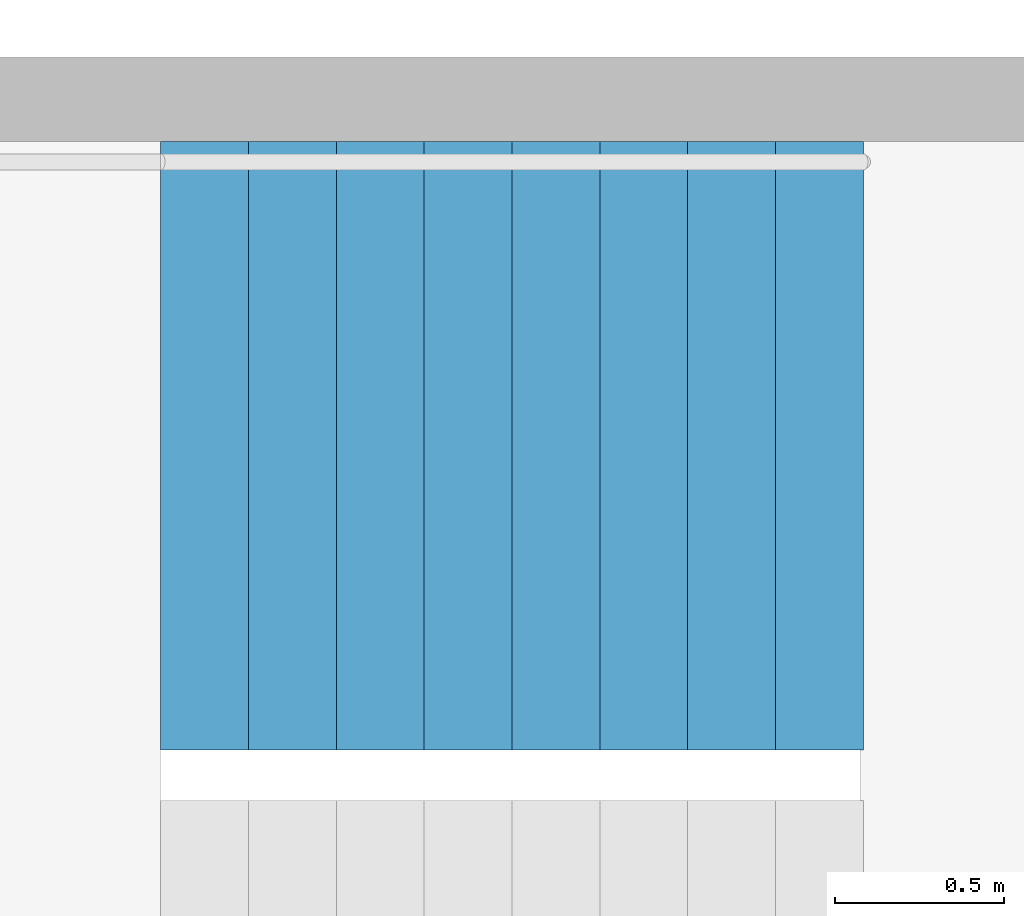
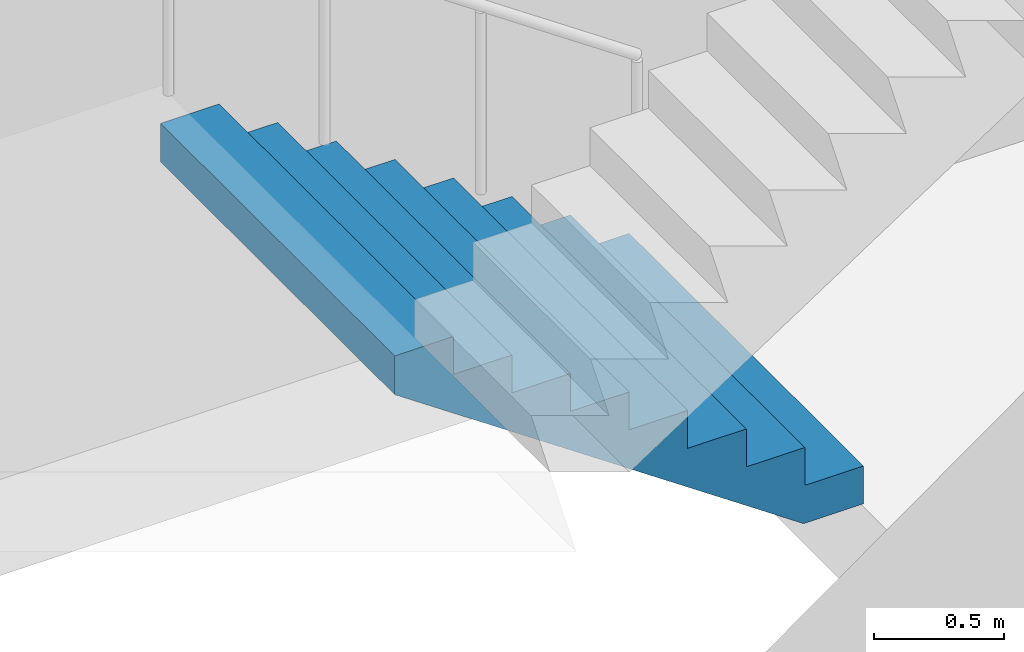
# One storey, part 18 of 25: 1 stair flight, 1 element without a shape of its own.
"""IFC4 building model written with IfcOpenShell, lengths in metres."""

from ifc_helpers import new_model, si_unit, direction, frame, origin, place, context, subcontext, project, spatial, triangles, material, type_object, element, aggregate, save


model = new_model("IFC4")

# Units and contexts
model_context = context("Model", 3, precision=1e-05, world=origin(), true_north=direction((0.0, 1.0)))
body_context = subcontext(model_context, "Body", "Model", "MODEL_VIEW")
ifc_project = project(units=[si_unit("LENGTHUNIT", "METRE"), si_unit("AREAUNIT", "SQUARE_METRE"), si_unit("VOLUMEUNIT", "CUBIC_METRE"), si_unit("PLANEANGLEUNIT", "RADIAN"), si_unit("MASSUNIT", "GRAM", prefix="KILO")], contexts=[model_context])

# Site, building, storey
site_placement = place(None, origin())
site = spatial("IfcSite", under=ifc_project, at=site_placement, CompositionType="ELEMENT")
building_placement = place(site_placement, origin())
building = spatial("IfcBuilding", under=site, at=building_placement, Name="Hakoniwa Tower and Hamabe Station Hall", CompositionType="ELEMENT")
storey_placement = place(building_placement, frame((0.0, 0.0, 186.60009765625)))
storey = spatial("IfcBuildingStorey", under=building, at=storey_placement, Name="L52", CompositionType="ELEMENT", Elevation=186.60009765625)

# Stair, stair flight
ifc_material_1 = material(Name="Concrete C40", Category="concrete")
stair_type = type_object("IfcStairType", Name="ESCAPE STAIR 1800", PredefinedType="HALF_TURN_STAIR", material=ifc_material_1)
stair_placement = place(storey_placement, origin())
stair = element("IfcStair", 1, at=stair_placement, inside=storey, type_object=stair_type, Name="Escape stair ST-2 L52", PredefinedType="HALF_TURN_STAIR")
ifc_material_2 = material(Name="Concrete C40", Category="concrete")
stair_flight_type = type_object("IfcStairFlightType", Name="STAIR FLIGHT 1800", PredefinedType="STRAIGHT", material=ifc_material_2)
stair_flight_placement = place(storey_placement, frame((-23.39990234375, -4.64990234375, 0.0), z_axis=(0.0, 0.0, 1.0), x_axis=(-1.0, 0.0, 0.0)))
stair_flight = element("IfcStairFlight", 2, at=stair_flight_placement, type_object=stair_flight_type, Name="ST-2 flight 1", NumberOfRisers=9, NumberOfTreads=8, PredefinedType="STRAIGHT", RiserHeight=0.177777778, TreadLength=0.26, context=body_context, shape_type="Tessellation", body=[
    triangles([(0.0, 0.89990234375, 0.0), (0.260009765625, 0.89990234375, 0.0), (0.265625, 0.89990234375, 0.0), (0.52001953125, 0.89990234375, 0.174072265625), (0.780029296875, 0.89990234375, 0.351806640625), (1.0400390625, 0.89990234375, 0.529541015625), (1.300048828125, 0.89990234375, 0.707275390625), (1.56005859375, 0.89990234375, 0.885009765625), (1.820068359375, 0.89990234375, 1.062744140625), (2.080078125, 0.89990234375, 1.24072265625), (2.080078125, 0.89990234375, 1.422119140625), (1.820068359375, 0.89990234375, 1.422119140625), (1.820068359375, 0.89990234375, 1.244384765625), (1.56005859375, 0.89990234375, 1.244384765625), (1.56005859375, 0.89990234375, 1.066650390625), (1.300048828125, 0.89990234375, 1.066650390625), (1.300048828125, 0.89990234375, 0.888916015625), (1.0400390625, 0.89990234375, 0.888916015625), (1.0400390625, 0.89990234375, 0.711181640625), (0.780029296875, 0.89990234375, 0.711181640625), (0.780029296875, 0.89990234375, 0.533447265625), (0.52001953125, 0.89990234375, 0.533447265625), (0.52001953125, 0.89990234375, 0.35546875), (0.265625, 0.89990234375, 0.35546875), (0.260009765625, 0.89990234375, 0.35546875), (0.260009765625, 0.89990234375, 0.177734375), (0.0, 0.89990234375, 0.177734375), (0.0, 0.06005859375, 0.0), (0.260009765625, 0.06005859375, 0.0), (0.265625, 0.06005859375, 0.0), (0.52001953125, 0.06005859375, 0.174072265625), (0.780029296875, 0.06005859375, 0.351806640625), (1.0400390625, 0.06005859375, 0.529541015625), (1.300048828125, 0.06005859375, 0.707275390625), (1.56005859375, 0.06005859375, 0.885009765625), (1.820068359375, 0.06005859375, 1.062744140625), (2.080078125, 0.06005859375, 1.24072265625), (2.080078125, 0.06005859375, 1.422119140625), (1.820068359375, 0.06005859375, 1.422119140625), (1.820068359375, 0.06005859375, 1.244384765625), (1.56005859375, 0.06005859375, 1.244384765625), (1.56005859375, 0.06005859375, 1.066650390625), (1.300048828125, 0.06005859375, 1.066650390625), (1.300048828125, 0.06005859375, 0.888916015625), (1.0400390625, 0.06005859375, 0.888916015625), (1.0400390625, 0.06005859375, 0.711181640625), (0.780029296875, 0.06005859375, 0.711181640625), (0.780029296875, 0.06005859375, 0.533447265625), (0.52001953125, 0.06005859375, 0.533447265625), (0.52001953125, 0.06005859375, 0.35546875), (0.265625, 0.06005859375, 0.35546875), (0.260009765625, 0.06005859375, 0.35546875), (0.260009765625, 0.06005859375, 0.177734375), (0.0, 0.06005859375, 0.177734375), (0.0, 0.04296875, 0.0), (0.260009765625, 0.04296875, 0.0), (0.265625, 0.04296875, 0.0), (0.52001953125, 0.04296875, 0.174072265625), (0.780029296875, 0.04296875, 0.351806640625), (1.0400390625, 0.04296875, 0.529541015625), (1.300048828125, 0.04296875, 0.707275390625), (1.56005859375, 0.04296875, 0.885009765625), (1.820068359375, 0.04296875, 1.062744140625), (2.080078125, 0.04296875, 1.24072265625), (2.080078125, 0.04296875, 1.422119140625), (1.820068359375, 0.04296875, 1.422119140625), (1.820068359375, 0.04296875, 1.244384765625), (1.56005859375, 0.04296875, 1.244384765625), (1.56005859375, 0.04296875, 1.066650390625), (1.300048828125, 0.04296875, 1.066650390625), (1.300048828125, 0.04296875, 0.888916015625), (1.0400390625, 0.04296875, 0.888916015625), (1.0400390625, 0.04296875, 0.711181640625), (0.780029296875, 0.04296875, 0.711181640625), (0.780029296875, 0.04296875, 0.533447265625), (0.52001953125, 0.04296875, 0.533447265625), (0.52001953125, 0.04296875, 0.35546875), (0.265625, 0.04296875, 0.35546875), (0.260009765625, 0.04296875, 0.35546875), (0.260009765625, 0.04296875, 0.177734375), (0.0, 0.04296875, 0.177734375), (0.0, 0.025634765625, 0.0), (0.260009765625, 0.025634765625, 0.0), (0.265625, 0.025634765625, 0.0), (0.52001953125, 0.025634765625, 0.174072265625), (0.780029296875, 0.025634765625, 0.351806640625), (1.0400390625, 0.025634765625, 0.529541015625), (1.300048828125, 0.025634765625, 0.707275390625), (1.56005859375, 0.025634765625, 0.885009765625), (1.820068359375, 0.025634765625, 1.062744140625), (2.080078125, 0.025634765625, 1.24072265625), (2.080078125, 0.025634765625, 1.422119140625), (1.820068359375, 0.025634765625, 1.422119140625), (1.820068359375, 0.025634765625, 1.244384765625), (1.56005859375, 0.025634765625, 1.244384765625), (1.56005859375, 0.025634765625, 1.066650390625), (1.300048828125, 0.025634765625, 1.066650390625), (1.300048828125, 0.025634765625, 0.888916015625), (1.0400390625, 0.025634765625, 0.888916015625), (1.0400390625, 0.025634765625, 0.711181640625), (0.780029296875, 0.025634765625, 0.711181640625), (0.780029296875, 0.025634765625, 0.533447265625), (0.52001953125, 0.025634765625, 0.533447265625), (0.52001953125, 0.025634765625, 0.35546875), (0.265625, 0.025634765625, 0.35546875), (0.260009765625, 0.025634765625, 0.35546875), (0.260009765625, 0.025634765625, 0.177734375), (0.0, 0.025634765625, 0.177734375), (0.0, 0.008544921875, 0.0), (0.260009765625, 0.008544921875, 0.0), (0.265625, 0.008544921875, 0.0), (0.52001953125, 0.008544921875, 0.174072265625), (0.780029296875, 0.008544921875, 0.351806640625), (1.0400390625, 0.008544921875, 0.529541015625), (1.300048828125, 0.008544921875, 0.707275390625), (1.56005859375, 0.008544921875, 0.885009765625), (1.820068359375, 0.008544921875, 1.062744140625), (2.080078125, 0.008544921875, 1.24072265625), (2.080078125, 0.008544921875, 1.422119140625), (1.820068359375, 0.008544921875, 1.422119140625), (1.820068359375, 0.008544921875, 1.244384765625), (1.56005859375, 0.008544921875, 1.244384765625), (1.56005859375, 0.008544921875, 1.066650390625), (1.300048828125, 0.008544921875, 1.066650390625), (1.300048828125, 0.008544921875, 0.888916015625), (1.0400390625, 0.008544921875, 0.888916015625), (1.0400390625, 0.008544921875, 0.711181640625), (0.780029296875, 0.008544921875, 0.711181640625), (0.780029296875, 0.008544921875, 0.533447265625), (0.52001953125, 0.008544921875, 0.533447265625), (0.52001953125, 0.008544921875, 0.35546875), (0.265625, 0.008544921875, 0.35546875), (0.260009765625, 0.008544921875, 0.35546875), (0.260009765625, 0.008544921875, 0.177734375), (0.0, 0.008544921875, 0.177734375), (0.0, -0.008544921875, 0.0), (0.260009765625, -0.008544921875, 0.0), (0.265625, -0.008544921875, 0.0), (0.52001953125, -0.008544921875, 0.174072265625), (0.780029296875, -0.008544921875, 0.351806640625), (1.0400390625, -0.008544921875, 0.529541015625), (1.300048828125, -0.008544921875, 0.707275390625), (1.56005859375, -0.008544921875, 0.885009765625), (1.820068359375, -0.008544921875, 1.062744140625), (2.080078125, -0.008544921875, 1.24072265625), (2.080078125, -0.008544921875, 1.422119140625), (1.820068359375, -0.008544921875, 1.422119140625), (1.820068359375, -0.008544921875, 1.244384765625), (1.56005859375, -0.008544921875, 1.244384765625), (1.56005859375, -0.008544921875, 1.066650390625), (1.300048828125, -0.008544921875, 1.066650390625), (1.300048828125, -0.008544921875, 0.888916015625), (1.0400390625, -0.008544921875, 0.888916015625), (1.0400390625, -0.008544921875, 0.711181640625), (0.780029296875, -0.008544921875, 0.711181640625), (0.780029296875, -0.008544921875, 0.533447265625), (0.52001953125, -0.008544921875, 0.533447265625), (0.52001953125, -0.008544921875, 0.35546875), (0.265625, -0.008544921875, 0.35546875), (0.260009765625, -0.008544921875, 0.35546875), (0.260009765625, -0.008544921875, 0.177734375), (0.0, -0.008544921875, 0.177734375), (0.0, -0.025634765625, 0.0), (0.260009765625, -0.025634765625, 0.0), (0.265625, -0.025634765625, 0.0), (0.52001953125, -0.025634765625, 0.174072265625), (0.780029296875, -0.025634765625, 0.351806640625), (1.0400390625, -0.025634765625, 0.529541015625), (1.300048828125, -0.025634765625, 0.707275390625), (1.56005859375, -0.025634765625, 0.885009765625), (1.820068359375, -0.025634765625, 1.062744140625), (2.080078125, -0.025634765625, 1.24072265625), (2.080078125, -0.025634765625, 1.422119140625), (1.820068359375, -0.025634765625, 1.422119140625), (1.820068359375, -0.025634765625, 1.244384765625), (1.56005859375, -0.025634765625, 1.244384765625), (1.56005859375, -0.025634765625, 1.066650390625), (1.300048828125, -0.025634765625, 1.066650390625), (1.300048828125, -0.025634765625, 0.888916015625), (1.0400390625, -0.025634765625, 0.888916015625), (1.0400390625, -0.025634765625, 0.711181640625), (0.780029296875, -0.025634765625, 0.711181640625), (0.780029296875, -0.025634765625, 0.533447265625), (0.52001953125, -0.025634765625, 0.533447265625), (0.52001953125, -0.025634765625, 0.35546875), (0.265625, -0.025634765625, 0.35546875), (0.260009765625, -0.025634765625, 0.35546875), (0.260009765625, -0.025634765625, 0.177734375), (0.0, -0.025634765625, 0.177734375), (0.0, -0.04296875, 0.0), (0.260009765625, -0.04296875, 0.0), (0.265625, -0.04296875, 0.0), (0.52001953125, -0.04296875, 0.174072265625), (0.780029296875, -0.04296875, 0.351806640625), (1.0400390625, -0.04296875, 0.529541015625), (1.300048828125, -0.04296875, 0.707275390625), (1.56005859375, -0.04296875, 0.885009765625), (1.820068359375, -0.04296875, 1.062744140625), (2.080078125, -0.04296875, 1.24072265625), (2.080078125, -0.04296875, 1.422119140625), (1.820068359375, -0.04296875, 1.422119140625), (1.820068359375, -0.04296875, 1.244384765625), (1.56005859375, -0.04296875, 1.244384765625), (1.56005859375, -0.04296875, 1.066650390625), (1.300048828125, -0.04296875, 1.066650390625), (1.300048828125, -0.04296875, 0.888916015625), (1.0400390625, -0.04296875, 0.888916015625), (1.0400390625, -0.04296875, 0.711181640625), (0.780029296875, -0.04296875, 0.711181640625), (0.780029296875, -0.04296875, 0.533447265625), (0.52001953125, -0.04296875, 0.533447265625), (0.52001953125, -0.04296875, 0.35546875), (0.265625, -0.04296875, 0.35546875), (0.260009765625, -0.04296875, 0.35546875), (0.260009765625, -0.04296875, 0.177734375), (0.0, -0.04296875, 0.177734375), (0.0, -0.06005859375, 0.0), (0.260009765625, -0.06005859375, 0.0), (0.265625, -0.06005859375, 0.0), (0.52001953125, -0.06005859375, 0.174072265625), (0.780029296875, -0.06005859375, 0.351806640625), (1.0400390625, -0.06005859375, 0.529541015625), (1.300048828125, -0.06005859375, 0.707275390625), (1.56005859375, -0.06005859375, 0.885009765625), (1.820068359375, -0.06005859375, 1.062744140625), (2.080078125, -0.06005859375, 1.24072265625), (2.080078125, -0.06005859375, 1.422119140625), (1.820068359375, -0.06005859375, 1.422119140625), (1.820068359375, -0.06005859375, 1.244384765625), (1.56005859375, -0.06005859375, 1.244384765625), (1.56005859375, -0.06005859375, 1.066650390625), (1.300048828125, -0.06005859375, 1.066650390625), (1.300048828125, -0.06005859375, 0.888916015625), (1.0400390625, -0.06005859375, 0.888916015625), (1.0400390625, -0.06005859375, 0.711181640625), (0.780029296875, -0.06005859375, 0.711181640625), (0.780029296875, -0.06005859375, 0.533447265625), (0.52001953125, -0.06005859375, 0.533447265625), (0.52001953125, -0.06005859375, 0.35546875), (0.265625, -0.06005859375, 0.35546875), (0.260009765625, -0.06005859375, 0.35546875), (0.260009765625, -0.06005859375, 0.177734375), (0.0, -0.06005859375, 0.177734375), (0.0, -0.89990234375, 0.0), (0.260009765625, -0.89990234375, 0.0), (0.265625, -0.89990234375, 0.0), (0.52001953125, -0.89990234375, 0.174072265625), (0.780029296875, -0.89990234375, 0.351806640625), (1.0400390625, -0.89990234375, 0.529541015625), (1.300048828125, -0.89990234375, 0.707275390625), (1.56005859375, -0.89990234375, 0.885009765625), (1.820068359375, -0.89990234375, 1.062744140625), (2.080078125, -0.89990234375, 1.24072265625), (2.080078125, -0.89990234375, 1.422119140625), (1.820068359375, -0.89990234375, 1.422119140625), (1.820068359375, -0.89990234375, 1.244384765625), (1.56005859375, -0.89990234375, 1.244384765625), (1.56005859375, -0.89990234375, 1.066650390625), (1.300048828125, -0.89990234375, 1.066650390625), (1.300048828125, -0.89990234375, 0.888916015625), (1.0400390625, -0.89990234375, 0.888916015625), (1.0400390625, -0.89990234375, 0.711181640625), (0.780029296875, -0.89990234375, 0.711181640625), (0.780029296875, -0.89990234375, 0.533447265625), (0.52001953125, -0.89990234375, 0.533447265625), (0.52001953125, -0.89990234375, 0.35546875), (0.265625, -0.89990234375, 0.35546875), (0.260009765625, -0.89990234375, 0.35546875), (0.260009765625, -0.89990234375, 0.177734375), (0.0, -0.89990234375, 0.177734375)], [[2, 27, 26], [245, 269, 270], [2, 1, 27], [245, 270, 244], [3, 25, 24], [246, 267, 268], [3, 26, 25], [246, 268, 269], [3, 2, 26], [246, 269, 245], [4, 24, 23], [247, 266, 267], [4, 3, 24], [247, 267, 246], [5, 22, 21], [248, 264, 265], [5, 23, 22], [248, 265, 266], [5, 4, 23], [248, 266, 247], [6, 20, 19], [249, 262, 263], [6, 21, 20], [249, 263, 264], [6, 5, 21], [249, 264, 248], [7, 18, 17], [250, 260, 261], [7, 19, 18], [250, 261, 262], [7, 6, 19], [250, 262, 249], [8, 16, 15], [251, 258, 259], [8, 17, 16], [251, 259, 260], [8, 7, 17], [251, 260, 250], [9, 14, 13], [252, 256, 257], [9, 15, 14], [252, 257, 258], [9, 8, 15], [252, 258, 251], [10, 12, 11], [253, 254, 255], [10, 13, 12], [253, 255, 256], [10, 9, 13], [253, 256, 252], [1, 2, 29], [1, 29, 28], [28, 29, 56], [28, 56, 55], [55, 56, 83], [55, 83, 82], [82, 83, 110], [82, 110, 109], [109, 110, 137], [109, 137, 136], [136, 137, 164], [136, 164, 163], [163, 164, 191], [163, 191, 190], [190, 191, 218], [190, 218, 217], [217, 218, 245], [217, 245, 244], [2, 3, 30], [2, 30, 29], [29, 30, 57], [29, 57, 56], [56, 57, 84], [56, 84, 83], [83, 84, 111], [83, 111, 110], [110, 111, 138], [110, 138, 137], [137, 138, 165], [137, 165, 164], [164, 165, 192], [164, 192, 191], [191, 192, 219], [191, 219, 218], [218, 219, 246], [218, 246, 245], [3, 4, 31], [3, 31, 30], [30, 31, 58], [30, 58, 57], [57, 58, 85], [57, 85, 84], [84, 85, 112], [84, 112, 111], [111, 112, 139], [111, 139, 138], [138, 139, 166], [138, 166, 165], [165, 166, 193], [165, 193, 192], [192, 193, 220], [192, 220, 219], [219, 220, 247], [219, 247, 246], [4, 5, 32], [4, 32, 31], [31, 32, 59], [31, 59, 58], [58, 59, 86], [58, 86, 85], [85, 86, 113], [85, 113, 112], [112, 113, 140], [112, 140, 139], [139, 140, 167], [139, 167, 166], [166, 167, 194], [166, 194, 193], [193, 194, 221], [193, 221, 220], [220, 221, 248], [220, 248, 247], [5, 6, 33], [5, 33, 32], [32, 33, 60], [32, 60, 59], [59, 60, 87], [59, 87, 86], [86, 87, 114], [86, 114, 113], [113, 114, 141], [113, 141, 140], [140, 141, 168], [140, 168, 167], [167, 168, 195], [167, 195, 194], [194, 195, 222], [194, 222, 221], [221, 222, 249], [221, 249, 248], [6, 7, 34], [6, 34, 33], [33, 34, 61], [33, 61, 60], [60, 61, 88], [60, 88, 87], [87, 88, 115], [87, 115, 114], [114, 115, 142], [114, 142, 141], [141, 142, 169], [141, 169, 168], [168, 169, 196], [168, 196, 195], [195, 196, 223], [195, 223, 222], [222, 223, 250], [222, 250, 249], [7, 8, 35], [7, 35, 34], [34, 35, 62], [34, 62, 61], [61, 62, 89], [61, 89, 88], [88, 89, 116], [88, 116, 115], [115, 116, 143], [115, 143, 142], [142, 143, 170], [142, 170, 169], [169, 170, 197], [169, 197, 196], [196, 197, 224], [196, 224, 223], [223, 224, 251], [223, 251, 250], [8, 9, 36], [8, 36, 35], [35, 36, 63], [35, 63, 62], [62, 63, 90], [62, 90, 89], [89, 90, 117], [89, 117, 116], [116, 117, 144], [116, 144, 143], [143, 144, 171], [143, 171, 170], [170, 171, 198], [170, 198, 197], [197, 198, 225], [197, 225, 224], [224, 225, 252], [224, 252, 251], [9, 10, 37], [9, 37, 36], [36, 37, 64], [36, 64, 63], [63, 64, 91], [63, 91, 90], [90, 91, 118], [90, 118, 117], [117, 118, 145], [117, 145, 144], [144, 145, 172], [144, 172, 171], [171, 172, 199], [171, 199, 198], [198, 199, 226], [198, 226, 225], [225, 226, 253], [225, 253, 252], [10, 11, 38], [10, 38, 37], [37, 38, 65], [37, 65, 64], [64, 65, 92], [64, 92, 91], [91, 92, 119], [91, 119, 118], [118, 119, 146], [118, 146, 145], [145, 146, 173], [145, 173, 172], [172, 173, 200], [172, 200, 199], [199, 200, 227], [199, 227, 226], [226, 227, 254], [226, 254, 253], [11, 12, 39], [11, 39, 38], [38, 39, 66], [38, 66, 65], [65, 66, 93], [65, 93, 92], [92, 93, 120], [92, 120, 119], [119, 120, 147], [119, 147, 146], [146, 147, 174], [146, 174, 173], [173, 174, 201], [173, 201, 200], [200, 201, 228], [200, 228, 227], [227, 228, 255], [227, 255, 254], [12, 13, 40], [12, 40, 39], [39, 40, 67], [39, 67, 66], [66, 67, 94], [66, 94, 93], [93, 94, 121], [93, 121, 120], [120, 121, 148], [120, 148, 147], [147, 148, 175], [147, 175, 174], [174, 175, 202], [174, 202, 201], [201, 202, 229], [201, 229, 228], [228, 229, 256], [228, 256, 255], [13, 14, 41], [13, 41, 40], [40, 41, 68], [40, 68, 67], [67, 68, 95], [67, 95, 94], [94, 95, 122], [94, 122, 121], [121, 122, 149], [121, 149, 148], [148, 149, 176], [148, 176, 175], [175, 176, 203], [175, 203, 202], [202, 203, 230], [202, 230, 229], [229, 230, 257], [229, 257, 256], [14, 15, 42], [14, 42, 41], [41, 42, 69], [41, 69, 68], [68, 69, 96], [68, 96, 95], [95, 96, 123], [95, 123, 122], [122, 123, 150], [122, 150, 149], [149, 150, 177], [149, 177, 176], [176, 177, 204], [176, 204, 203], [203, 204, 231], [203, 231, 230], [230, 231, 258], [230, 258, 257], [15, 16, 43], [15, 43, 42], [42, 43, 70], [42, 70, 69], [69, 70, 97], [69, 97, 96], [96, 97, 124], [96, 124, 123], [123, 124, 151], [123, 151, 150], [150, 151, 178], [150, 178, 177], [177, 178, 205], [177, 205, 204], [204, 205, 232], [204, 232, 231], [231, 232, 259], [231, 259, 258], [16, 17, 44], [16, 44, 43], [43, 44, 71], [43, 71, 70], [70, 71, 98], [70, 98, 97], [97, 98, 125], [97, 125, 124], [124, 125, 152], [124, 152, 151], [151, 152, 179], [151, 179, 178], [178, 179, 206], [178, 206, 205], [205, 206, 233], [205, 233, 232], [232, 233, 260], [232, 260, 259], [17, 18, 45], [17, 45, 44], [44, 45, 72], [44, 72, 71], [71, 72, 99], [71, 99, 98], [98, 99, 126], [98, 126, 125], [125, 126, 153], [125, 153, 152], [152, 153, 180], [152, 180, 179], [179, 180, 207], [179, 207, 206], [206, 207, 234], [206, 234, 233], [233, 234, 261], [233, 261, 260], [18, 19, 46], [18, 46, 45], [45, 46, 73], [45, 73, 72], [72, 73, 100], [72, 100, 99], [99, 100, 127], [99, 127, 126], [126, 127, 154], [126, 154, 153], [153, 154, 181], [153, 181, 180], [180, 181, 208], [180, 208, 207], [207, 208, 235], [207, 235, 234], [234, 235, 262], [234, 262, 261], [19, 20, 47], [19, 47, 46], [46, 47, 74], [46, 74, 73], [73, 74, 101], [73, 101, 100], [100, 101, 128], [100, 128, 127], [127, 128, 155], [127, 155, 154], [154, 155, 182], [154, 182, 181], [181, 182, 209], [181, 209, 208], [208, 209, 236], [208, 236, 235], [235, 236, 263], [235, 263, 262], [20, 21, 48], [20, 48, 47], [47, 48, 75], [47, 75, 74], [74, 75, 102], [74, 102, 101], [101, 102, 129], [101, 129, 128], [128, 129, 156], [128, 156, 155], [155, 156, 183], [155, 183, 182], [182, 183, 210], [182, 210, 209], [209, 210, 237], [209, 237, 236], [236, 237, 264], [236, 264, 263], [21, 22, 49], [21, 49, 48], [48, 49, 76], [48, 76, 75], [75, 76, 103], [75, 103, 102], [102, 103, 130], [102, 130, 129], [129, 130, 157], [129, 157, 156], [156, 157, 184], [156, 184, 183], [183, 184, 211], [183, 211, 210], [210, 211, 238], [210, 238, 237], [237, 238, 265], [237, 265, 264], [22, 23, 50], [22, 50, 49], [49, 50, 77], [49, 77, 76], [76, 77, 104], [76, 104, 103], [103, 104, 131], [103, 131, 130], [130, 131, 158], [130, 158, 157], [157, 158, 185], [157, 185, 184], [184, 185, 212], [184, 212, 211], [211, 212, 239], [211, 239, 238], [238, 239, 266], [238, 266, 265], [23, 24, 51], [23, 51, 50], [50, 51, 78], [50, 78, 77], [77, 78, 105], [77, 105, 104], [104, 105, 132], [104, 132, 131], [131, 132, 159], [131, 159, 158], [158, 159, 186], [158, 186, 185], [185, 186, 213], [185, 213, 212], [212, 213, 240], [212, 240, 239], [239, 240, 267], [239, 267, 266], [24, 25, 52], [24, 52, 51], [51, 52, 79], [51, 79, 78], [78, 79, 106], [78, 106, 105], [105, 106, 133], [105, 133, 132], [132, 133, 160], [132, 160, 159], [159, 160, 187], [159, 187, 186], [186, 187, 214], [186, 214, 213], [213, 214, 241], [213, 241, 240], [240, 241, 268], [240, 268, 267], [25, 26, 53], [25, 53, 52], [52, 53, 80], [52, 80, 79], [79, 80, 107], [79, 107, 106], [106, 107, 134], [106, 134, 133], [133, 134, 161], [133, 161, 160], [160, 161, 188], [160, 188, 187], [187, 188, 215], [187, 215, 214], [214, 215, 242], [214, 242, 241], [241, 242, 269], [241, 269, 268], [26, 27, 54], [26, 54, 53], [53, 54, 81], [53, 81, 80], [80, 81, 108], [80, 108, 107], [107, 108, 135], [107, 135, 134], [134, 135, 162], [134, 162, 161], [161, 162, 189], [161, 189, 188], [188, 189, 216], [188, 216, 215], [215, 216, 243], [215, 243, 242], [242, 243, 270], [242, 270, 269], [27, 1, 28], [27, 28, 54], [54, 28, 55], [54, 55, 81], [81, 55, 82], [81, 82, 108], [108, 82, 109], [108, 109, 135], [135, 109, 136], [135, 136, 162], [162, 136, 163], [162, 163, 189], [189, 163, 190], [189, 190, 216], [216, 190, 217], [216, 217, 243], [243, 217, 244], [243, 244, 270]], closed=True),
])
aggregate(stair, [stair_flight])

save(model, "model.ifc")
